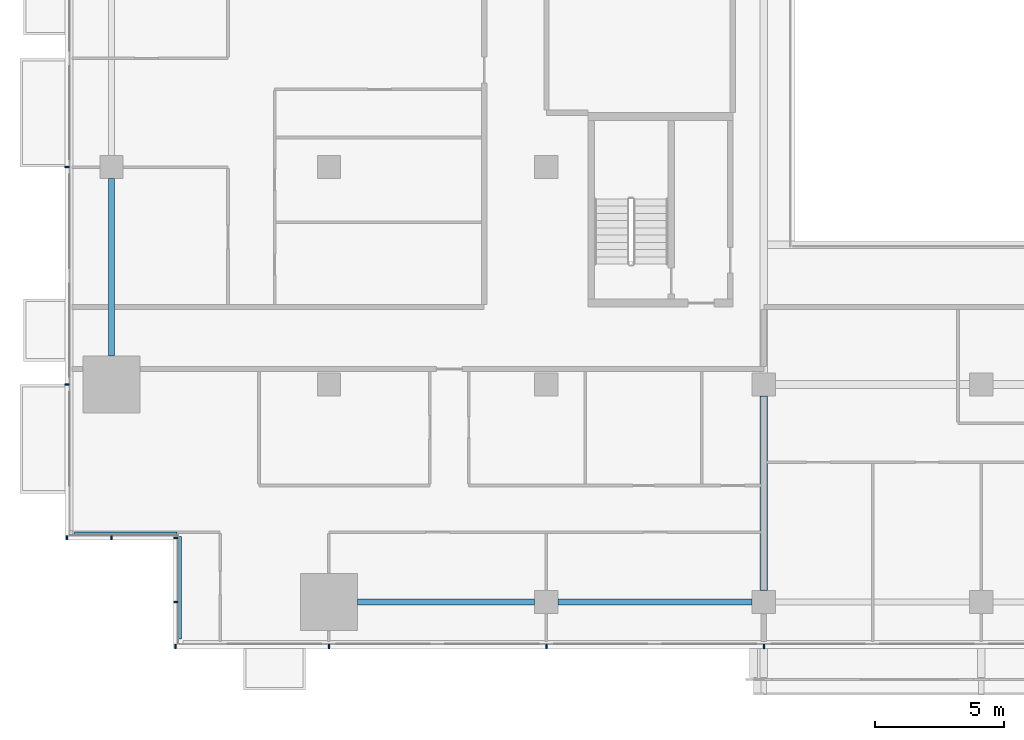
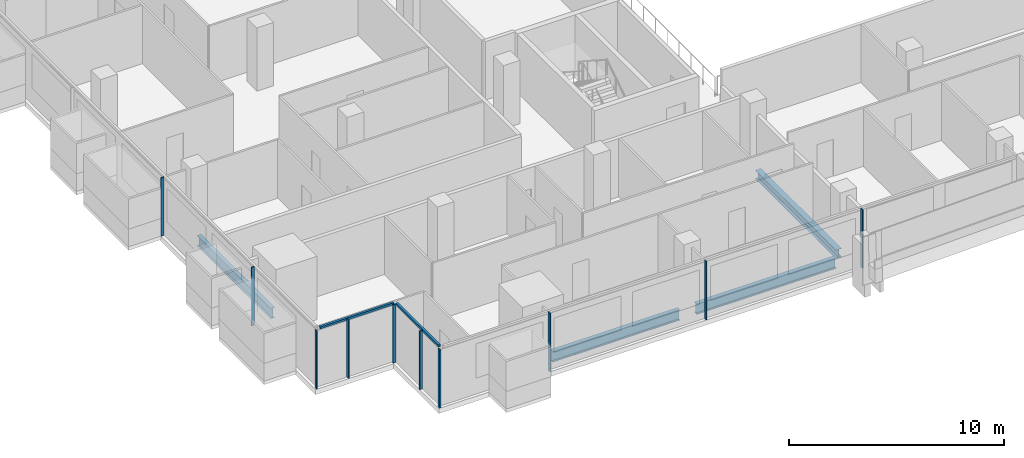
# One storey, part 2 of 27: 12 members, 4 beams, 4 elements without a shape of their own.
"""IFC4 building model written with IfcOpenShell, lengths in metres."""

import ifcopenshell
import ifcopenshell.guid

model = None  # the IFC model being written
_history = None  # IfcOwnerHistory: only IFC2X3 demands one
_inside = {}  # id of a spatial element -> (the spatial element, [elements in it])
_under = {}  # id of a project, library or spatial element -> (it, [spatial elements below it])
_declared = {}  # id of a project -> (the project, [libraries it declares])
_typed = {}  # id of a type object -> (the type object, [elements of that type])
_made_of = {}  # id of a material, layer set ... -> (it, [elements and type objects made of it])


def new_model(schema):
    """Start an empty IFC model of exactly this schema.

    Asked for "IFC4X3", IfcOpenShell would pick the latest addendum, in which some entities
    have other attributes; the version numbers below select the first issue.
    IFC2X3 requires an IfcOwnerHistory on every rooted entity: one is made here for all.
    """
    global model, _history
    if schema == "IFC4X3":
        model = ifcopenshell.file(schema_version=(4, 3, 0, 0))
    else:
        model = ifcopenshell.file(schema=schema)
    _inside.clear()
    _under.clear()
    _declared.clear()
    _typed.clear()
    _made_of.clear()
    _history = None
    if model.schema == "IFC2X3":
        org = make("IfcOrganization", Name="unknown")
        user = make(
            "IfcPersonAndOrganization",
            ThePerson=make("IfcPerson", FamilyName="unknown"),
            TheOrganization=org,
        )
        app = make(
            "IfcApplication",
            ApplicationDeveloper=org,
            Version="unknown",
            ApplicationFullName="unknown",
            ApplicationIdentifier="unknown",
        )
        _history = make(
            "IfcOwnerHistory",
            OwningUser=user,
            OwningApplication=app,
            ChangeAction="ADDED",
            CreationDate=0,
        )
    return model


def make(cls, **values):
    """One entity of the class cls with the attributes given. An attribute that is None is left unset."""
    return model.create_entity(
        cls, **{name: value for name, value in values.items() if value is not None}
    )


def rooted(cls, **values):
    """An entity with a GlobalId (a new one), such as an element, a storey or a relation."""
    return make(cls, GlobalId=ifcopenshell.guid.new(), OwnerHistory=_history, **values)


def si_unit(unit_type, name, prefix=None):
    """IfcSIUnit, for example si_unit("LENGTHUNIT", "METRE", prefix="MILLI")."""
    return make("IfcSIUnit", UnitType=unit_type, Prefix=prefix, Name=name)


def assignment(units):
    """IfcUnitAssignment: the units of a project."""
    return None if units is None else make("IfcUnitAssignment", Units=units)


def point(xyz):
    """IfcCartesianPoint."""
    return None if xyz is None else make("IfcCartesianPoint", Coordinates=xyz)


def direction(xyz):
    """IfcDirection."""
    return None if xyz is None else make("IfcDirection", DirectionRatios=xyz)


def frame(location, z_axis=None, x_axis=None):
    """IfcAxis2Placement3D, a coordinate frame: its origin and axes. An axis left out is left unset."""
    return make(
        "IfcAxis2Placement3D",
        Location=point(location),
        Axis=direction(z_axis),
        RefDirection=direction(x_axis),
    )


def frame_2d(location, x_axis=None):
    """IfcAxis2Placement2D, a coordinate frame in the plane: its origin and x axis."""
    return make(
        "IfcAxis2Placement2D", Location=point(location), RefDirection=direction(x_axis)
    )


def origin():
    """The frame at (0, 0, 0) with its axes left unset."""
    return frame((0.0, 0.0, 0.0))


def origin_2d():
    """The frame at (0, 0) in the plane with its x axis left unset."""
    return frame_2d((0.0, 0.0))


def place(relative_to, where):
    """IfcLocalPlacement: puts the frame where relative to a parent placement (None: the world)."""
    return make(
        "IfcLocalPlacement", PlacementRelTo=relative_to, RelativePlacement=where
    )


def context(
    kind, dimensions, precision=None, world=None, true_north=None, identifier=None
):
    """IfcGeometricRepresentationContext, for example the 3D "Model" context."""
    return make(
        "IfcGeometricRepresentationContext",
        ContextIdentifier=identifier,
        ContextType=kind,
        CoordinateSpaceDimension=dimensions,
        Precision=precision,
        WorldCoordinateSystem=world,
        TrueNorth=true_north,
    )


def subcontext(parent, identifier, kind, view, scale=None):
    """IfcGeometricRepresentationSubContext, for example "Body" below "Model"."""
    return make(
        "IfcGeometricRepresentationSubContext",
        ContextIdentifier=identifier,
        ContextType=kind,
        ParentContext=parent,
        TargetScale=scale,
        TargetView=view,
    )


def project(units=None, contexts=None):
    """IfcProject with its units and contexts."""
    return rooted(
        "IfcProject",
        Name="project",
        RepresentationContexts=contexts,
        UnitsInContext=assignment(units),
    )


def spatial(cls, under=None, at=None, **own):
    """A site, building, storey or space (cls), placed at a placement, below another one or the project."""
    s = rooted(cls, ObjectPlacement=at, **own)
    if under is not None:
        _under.setdefault(under.id(), (under, []))[1].append(s)
    return s


def profile(cls, at=None, kind="AREA", **sizes):
    """A parametric profile (cls). Its sizes go by their IFC names, for example OverallWidth=200.0."""
    return make(cls, ProfileType=kind, Position=at, **sizes)


def rectangle(**sizes):
    """IfcRectangleProfileDef."""
    return profile("IfcRectangleProfileDef", **sizes)


def i_section(**sizes):
    """IfcIShapeProfileDef."""
    return profile("IfcIShapeProfileDef", **sizes)


def extrude(swept, where, along, depth):
    """IfcExtrudedAreaSolid: the profile swept, set in the frame where, extruded along a direction by depth."""
    return make(
        "IfcExtrudedAreaSolid",
        SweptArea=swept,
        Position=where,
        ExtrudedDirection=direction(along),
        Depth=depth,
    )


def shape(context_of_items, identifier, shape_type, items):
    """IfcShapeRepresentation: the items that make up one representation, for example the "Body"."""
    return make(
        "IfcShapeRepresentation",
        ContextOfItems=context_of_items,
        RepresentationIdentifier=identifier,
        RepresentationType=shape_type,
        Items=items,
    )


def material(Name=None, Category=None):
    """IfcMaterial."""
    return make("IfcMaterial", Name=Name, Category=Category)


def material_profile(
    of_material, cross_section, Name=None, Category=None, Priority=None
):
    """IfcMaterialProfile: a cross section and its material."""
    return make(
        "IfcMaterialProfile",
        Name=Name,
        Material=of_material,
        Profile=cross_section,
        Priority=Priority,
        Category=Category,
    )


def profile_set(profiles, Name=None, composite=None):
    """IfcMaterialProfileSet."""
    return make(
        "IfcMaterialProfileSet",
        Name=Name,
        MaterialProfiles=profiles,
        CompositeProfile=composite,
    )


def made_of(thing, what):
    """Note that an element or type object is made of a material, layer set ...; save() writes the relation."""
    if what is not None:
        _made_of.setdefault(what.id(), (what, []))[1].append(thing)
    return thing


def type_object(cls, material=None, **own):
    """A type object (cls), such as IfcWallType, which elements share."""
    return made_of(rooted(cls, **own), material)


def element(
    cls,
    number,
    at=None,
    inside=None,
    cuts=None,
    type_object=None,
    material=None,
    context=None,
    identifier="Body",
    shape_type=None,
    held_by="IfcProductDefinitionShape",
    body=None,
    shapes=None,
    **own,
):
    """One element of the class cls, such as IfcWall. Its Tag is "e" and its number.

    at: its placement. inside: the storey or other place that contains it. cuts: it is an
    opening in that element (IfcRelVoidsElement). A single representation is given by context,
    identifier, shape_type and body (its items); several are given by shapes. held_by: the class
    of the entity that holds the representations. save() writes the other relations.
    """
    e = rooted(cls, Tag="e%d" % number, ObjectPlacement=at, **own)
    if body is not None:
        shapes = [shape(context, identifier, shape_type, body)]
    if shapes is not None:
        e.Representation = make(held_by, Representations=shapes)
    if inside is not None:
        _inside.setdefault(inside.id(), (inside, []))[1].append(e)
    if cuts is not None:
        rooted(
            "IfcRelVoidsElement", RelatingBuildingElement=cuts, RelatedOpeningElement=e
        )
    if type_object is not None:
        _typed.setdefault(type_object.id(), (type_object, []))[1].append(e)
    return made_of(e, material)


def aggregate(whole, parts):
    """IfcRelAggregates: a whole, such as a stair, and the parts it consists of."""
    return rooted("IfcRelAggregates", RelatingObject=whole, RelatedObjects=parts)


def save(model, path):
    """Write the relations noted so far, then the file.

    IfcRelAggregates (storeys below a building ...), IfcRelContainedInSpatialStructure (elements
    in a storey), IfcRelDefinesByType, IfcRelAssociatesMaterial and IfcRelDeclares: one each for
    every whole, place, type object, material and project.
    """
    for whole, parts in _under.values():
        aggregate(whole, parts)
    for where, things in _inside.values():
        rooted(
            "IfcRelContainedInSpatialStructure",
            RelatedElements=things,
            RelatingStructure=where,
        )
    for kind, things in _typed.values():
        rooted("IfcRelDefinesByType", RelatedObjects=things, RelatingType=kind)
    for what, things in _made_of.values():
        rooted("IfcRelAssociatesMaterial", RelatedObjects=things, RelatingMaterial=what)
    for by, libraries in _declared.values():
        rooted("IfcRelDeclares", RelatingContext=by, RelatedDefinitions=libraries)
    model.write(path)


model = new_model("IFC4")

# Units and contexts
model_context = context("Model", 3, precision=1e-05, world=origin(), true_north=direction((0.0, 1.0)))
body_context = subcontext(model_context, "Body", "Model", "MODEL_VIEW")
ifc_project = project(units=[si_unit("LENGTHUNIT", "METRE"), si_unit("AREAUNIT", "SQUARE_METRE"), si_unit("VOLUMEUNIT", "CUBIC_METRE"), si_unit("PLANEANGLEUNIT", "RADIAN"), si_unit("MASSUNIT", "GRAM", prefix="KILO")], contexts=[model_context])

# Site, building, storey
site_placement = place(None, origin())
site = spatial("IfcSite", under=ifc_project, at=site_placement, CompositionType="ELEMENT")
building_placement = place(site_placement, origin())
building = spatial("IfcBuilding", under=site, at=building_placement, Name="Saffron Gate Tower", CompositionType="ELEMENT")
storey_placement = place(building_placement, frame((0.0, 0.0, 40.800048828125)))
storey = spatial("IfcBuildingStorey", under=building, at=storey_placement, Name="L08", CompositionType="ELEMENT", Elevation=40.800048828125)

# Beams
ifc_material_1 = material(Name="Structural steel S355", Category="steel")
ifc_material_profile_1 = material_profile(ifc_material_1, i_section(OverallWidth=0.219970703125, OverallDepth=0.60009765625, WebThickness=0.011962890625, FlangeThickness=0.01904296875, FilletRadius=0.02392578125, at=origin_2d()))
ifc_profile_set_1 = profile_set([ifc_material_profile_1], Name="Structural steel S355")
beam_type_1 = type_object("IfcBeamType", Name="B16 IPE 600", PredefinedType="SPANDREL", material=ifc_profile_set_1)
for number, where, z_axis, x_axis, name in (
    (1, (49.800048828125, 41.300048828125, -0.580078125), (0.0, 1.0, 0.0), (-1.0, 0.0, 0.0), "B16 SPANDREL BEAM"),
    (2, (59.300048828125, 31.800048828125, -0.580078125), (1.0, 0.0, 0.0), (0.0, 1.0, 0.0), "B16 SPANDREL BEAM"),
):
    element("IfcBeam", number, at=place(storey_placement, frame(where, z_axis=z_axis, x_axis=x_axis)), inside=storey, type_object=beam_type_1, Name=name, PredefinedType="SPANDREL", context=body_context, shape_type="SweptSolid", body=[
        extrude(i_section(OverallWidth=0.219970703125, OverallDepth=0.60009765625, WebThickness=0.011962890625, FlangeThickness=0.01904296875, FilletRadius=0.02392578125, at=origin_2d()), origin(), (0.0, 0.0, 1.0), 6.849853515625),
    ])
beam_1_placement = place(storey_placement, frame((67.050048828125, 31.800048828125, -0.580078125), z_axis=(1.0, 0.0, 0.0), x_axis=(0.0, 1.0, 0.0)))
element("IfcBeam", 3, at=beam_1_placement, inside=storey, type_object=beam_type_1, Name="B16 SPANDREL BEAM", PredefinedType="SPANDREL", context=body_context, shape_type="SweptSolid", body=[
    extrude(i_section(OverallWidth=0.219970703125, OverallDepth=0.60009765625, WebThickness=0.011962890625, FlangeThickness=0.01904296875, FilletRadius=0.02392578125, at=origin_2d()), origin(), (0.0, 0.0, 1.0), 7.5),
])
ifc_material_profile_2 = material_profile(ifc_material_1, i_section(OverallWidth=0.300048828125, OverallDepth=0.489990234375, WebThickness=0.011962890625, FlangeThickness=0.02294921875, FilletRadius=0.027099609375, at=origin_2d()))
ifc_profile_set_2 = profile_set([ifc_material_profile_2], Name="Structural steel S355")
beam_type_2 = type_object("IfcBeamType", Name="B8 HEA 500", PredefinedType="BEAM", material=ifc_profile_set_2)
beam_2_placement = place(storey_placement, frame((75.0, 32.25, -0.525146484375), z_axis=(0.0, 1.0, 0.0), x_axis=(-1.0, 0.0, 0.0)))
element("IfcBeam", 4, at=beam_2_placement, inside=storey, type_object=beam_type_2, Name="B8 FLOOR GIRDER", PredefinedType="BEAM", context=body_context, shape_type="SweptSolid", body=[
    extrude(i_section(OverallWidth=0.300048828125, OverallDepth=0.489990234375, WebThickness=0.011962890625, FlangeThickness=0.02294921875, FilletRadius=0.027099609375, at=origin_2d()), origin(), (0.0, 0.0, 1.0), 7.5),
])

# Curtain wall, members
ifc_material_2 = material(Name="Aluminium, bronze anodised", Category="aluminium")
curtain_wall_type_1 = type_object("IfcCurtainWallType", Name="CWS1 curtain wall front facade", PredefinedType="NOTDEFINED", material=ifc_material_2)
curtain_wall_1_placement = place(storey_placement, origin())
curtain_wall_1 = element("IfcCurtainWall", 5, at=curtain_wall_1_placement, inside=storey, type_object=curtain_wall_type_1, Name="CWS1 run 1", PredefinedType="NOTDEFINED")
ifc_material_profile_3 = material_profile(ifc_material_2, rectangle(XDim=0.159912109375, YDim=0.06005859375, at=origin_2d()))
ifc_profile_set_3 = profile_set([ifc_material_profile_3], Name="Aluminium, bronze anodised")
member_type_1 = type_object("IfcMemberType", Name="CWS1 mullion 60x160", PredefinedType="MULLION", material=ifc_profile_set_3)
member_1_placement = place(storey_placement, frame((52.280029296875, 30.080078125, 0.0), z_axis=(0.0, 0.0, 1.0), x_axis=(0.0, 1.0, 0.0)))
member_1 = element("IfcMember", 6, at=member_1_placement, type_object=member_type_1, Name="CWS1 mullion 1", PredefinedType="MULLION", context=body_context, shape_type="SweptSolid", body=[
    extrude(rectangle(XDim=0.159912109375, YDim=0.06005859375, at=origin_2d()), origin(), (0.0, 0.0, 1.0), 3.320068359375),
])
member_2_placement = place(storey_placement, frame((58.199951171875, 30.080078125, 0.0), z_axis=(0.0, 0.0, 1.0), x_axis=(0.0, 1.0, 0.0)))
member_2 = element("IfcMember", 7, at=member_2_placement, type_object=member_type_1, Name="CWS1 mullion 2", PredefinedType="MULLION", context=body_context, shape_type="SweptSolid", body=[
    extrude(rectangle(XDim=0.159912109375, YDim=0.06005859375, at=origin_2d()), origin(), (0.0, 0.0, 1.0), 3.320068359375),
])
member_3_placement = place(storey_placement, frame((66.60009765625, 30.080078125, 0.0), z_axis=(0.0, 0.0, 1.0), x_axis=(0.0, 1.0, 0.0)))
member_3 = element("IfcMember", 8, at=member_3_placement, type_object=member_type_1, Name="CWS1 mullion 3", PredefinedType="MULLION", context=body_context, shape_type="SweptSolid", body=[
    extrude(rectangle(XDim=0.159912109375, YDim=0.06005859375, at=origin_2d()), origin(), (0.0, 0.0, 1.0), 3.320068359375),
])
member_4_placement = place(storey_placement, frame((75.0, 30.080078125, 0.0), z_axis=(0.0, 0.0, 1.0), x_axis=(0.0, 1.0, 0.0)))
member_4 = element("IfcMember", 9, at=member_4_placement, type_object=member_type_1, Name="CWS1 mullion 4", PredefinedType="MULLION", context=body_context, shape_type="SweptSolid", body=[
    extrude(rectangle(XDim=0.159912109375, YDim=0.06005859375, at=origin_2d()), origin(), (0.0, 0.0, 1.0), 3.320068359375),
])
aggregate(curtain_wall_1, [member_1, member_2, member_3, member_4])

curtain_wall_type_2 = type_object("IfcCurtainWallType", Name="CWS2 curtain wall side facades", PredefinedType="NOTDEFINED", material=ifc_material_2)
curtain_wall_2_placement = place(storey_placement, origin())
curtain_wall_2 = element("IfcCurtainWall", 10, at=curtain_wall_2_placement, inside=storey, type_object=curtain_wall_type_2, Name="CWS2 run 10", PredefinedType="NOTDEFINED")
ifc_material_profile_4 = material_profile(ifc_material_2, rectangle(XDim=0.159912109375, YDim=0.06005859375, at=origin_2d()))
ifc_profile_set_4 = profile_set([ifc_material_profile_4], Name="Aluminium, bronze anodised")
member_type_2 = type_object("IfcMemberType", Name="CWS2 mullion 60x160", PredefinedType="MULLION", material=ifc_profile_set_4)
member_5_placement = place(storey_placement, frame((48.080078125, 48.60009765625, 0.0), z_axis=(0.0, 0.0, 1.0), x_axis=(1.0, 0.0, 0.0)))
member_5 = element("IfcMember", 11, at=member_5_placement, type_object=member_type_2, Name="CWS2 mullion 4", PredefinedType="MULLION", context=body_context, shape_type="SweptSolid", body=[
    extrude(rectangle(XDim=0.159912109375, YDim=0.06005859375, at=origin_2d()), origin(), (0.0, 0.0, 1.0), 3.320068359375),
])
member_6_placement = place(storey_placement, frame((48.080078125, 40.199951171875, 0.0), z_axis=(0.0, 0.0, 1.0), x_axis=(1.0, 0.0, 0.0)))
member_6 = element("IfcMember", 12, at=member_6_placement, type_object=member_type_2, Name="CWS2 mullion 5", PredefinedType="MULLION", context=body_context, shape_type="SweptSolid", body=[
    extrude(rectangle(XDim=0.159912109375, YDim=0.06005859375, at=origin_2d()), origin(), (0.0, 0.0, 1.0), 3.320068359375),
])
aggregate(curtain_wall_2, [member_5, member_6])

# Curtain wall, member
curtain_wall_type_3 = type_object("IfcCurtainWallType", Name="CWS4 curtain wall corner returns", PredefinedType="NOTDEFINED", material=ifc_material_2)
curtain_wall_3_placement = place(storey_placement, origin())
curtain_wall_3 = element("IfcCurtainWall", 13, at=curtain_wall_3_placement, inside=storey, type_object=curtain_wall_type_3, Name="CWS4 run 11", PredefinedType="NOTDEFINED")
ifc_material_profile_5 = material_profile(ifc_material_2, rectangle(XDim=0.1201171875, YDim=0.1201171875, at=origin_2d()))
ifc_profile_set_5 = profile_set([ifc_material_profile_5], Name="Aluminium, bronze anodised")
member_type_3 = type_object("IfcMemberType", Name="CWS4 head transom", PredefinedType="USERDEFINED", material=ifc_profile_set_5)
member_7_placement = place(storey_placement, frame((48.367919921875, 34.447998046875, 3.260009765625), z_axis=(1.0, 0.0, 0.0), x_axis=(0.0, 1.0, 0.0)))
member_7 = element("IfcMember", 14, at=member_7_placement, type_object=member_type_3, Name="CWS4 head transom", ObjectType="TRANSOM", PredefinedType="USERDEFINED", context=body_context, shape_type="SweptSolid", body=[
    extrude(rectangle(XDim=0.1201171875, YDim=0.1201171875, at=origin_2d()), origin(), (0.0, 0.0, 1.0), 3.9599609375),
])

curtain_wall_4_placement = place(storey_placement, origin())
curtain_wall_4 = element("IfcCurtainWall", 15, at=curtain_wall_4_placement, inside=storey, type_object=curtain_wall_type_3, Name="CWS4 run 12", PredefinedType="NOTDEFINED")
member_8_placement = place(storey_placement, frame((52.447998046875, 34.327880859375, 3.260009765625), z_axis=(0.0, -1.0, 0.0), x_axis=(1.0, 0.0, 0.0)))
member_8 = element("IfcMember", 16, at=member_8_placement, type_object=member_type_3, Name="CWS4 head transom", ObjectType="TRANSOM", PredefinedType="USERDEFINED", context=body_context, shape_type="SweptSolid", body=[
    extrude(rectangle(XDim=0.1201171875, YDim=0.1201171875, at=origin_2d()), origin(), (0.0, 0.0, 1.0), 3.9599609375),
])

# Member
ifc_material_profile_6 = material_profile(ifc_material_2, rectangle(XDim=0.159912109375, YDim=0.06005859375, at=origin_2d()))
ifc_profile_set_6 = profile_set([ifc_material_profile_6], Name="Aluminium, bronze anodised")
member_type_4 = type_object("IfcMemberType", Name="CWS4 mullion 60x160", PredefinedType="MULLION", material=ifc_profile_set_6)
member_9_placement = place(storey_placement, frame((48.080078125, 34.280029296875, 0.0), z_axis=(0.0, 0.0, 1.0), x_axis=(0.0, 1.0, 0.0)))
member_9 = element("IfcMember", 17, at=member_9_placement, type_object=member_type_4, Name="CWS4 mullion 1", PredefinedType="MULLION", context=body_context, shape_type="SweptSolid", body=[
    extrude(rectangle(XDim=0.159912109375, YDim=0.06005859375, at=origin_2d()), origin(), (0.0, 0.0, 1.0), 3.320068359375),
])

member_10_placement = place(storey_placement, frame((49.800048828125, 34.280029296875, 0.0), z_axis=(0.0, 0.0, 1.0), x_axis=(0.0, 1.0, 0.0)))
member_10 = element("IfcMember", 18, at=member_10_placement, type_object=member_type_4, Name="CWS4 mullion 2", PredefinedType="MULLION", context=body_context, shape_type="SweptSolid", body=[
    extrude(rectangle(XDim=0.159912109375, YDim=0.06005859375, at=origin_2d()), origin(), (0.0, 0.0, 1.0), 3.320068359375),
])

aggregate(curtain_wall_3, [member_9, member_10, member_7])

member_11_placement = place(storey_placement, frame((52.280029296875, 34.280029296875, 0.0), z_axis=(0.0, 0.0, 1.0), x_axis=(1.0, 0.0, 0.0)))
member_11 = element("IfcMember", 19, at=member_11_placement, type_object=member_type_4, Name="CWS4 mullion 1", PredefinedType="MULLION", context=body_context, shape_type="SweptSolid", body=[
    extrude(rectangle(XDim=0.159912109375, YDim=0.06005859375, at=origin_2d()), origin(), (0.0, 0.0, 1.0), 3.320068359375),
])

member_12_placement = place(storey_placement, frame((52.280029296875, 31.800048828125, 0.0), z_axis=(0.0, 0.0, 1.0), x_axis=(1.0, 0.0, 0.0)))
member_12 = element("IfcMember", 20, at=member_12_placement, type_object=member_type_4, Name="CWS4 mullion 2", PredefinedType="MULLION", context=body_context, shape_type="SweptSolid", body=[
    extrude(rectangle(XDim=0.159912109375, YDim=0.06005859375, at=origin_2d()), origin(), (0.0, 0.0, 1.0), 3.320068359375),
])

aggregate(curtain_wall_4, [member_11, member_12, member_8])

save(model, "model.ifc")
